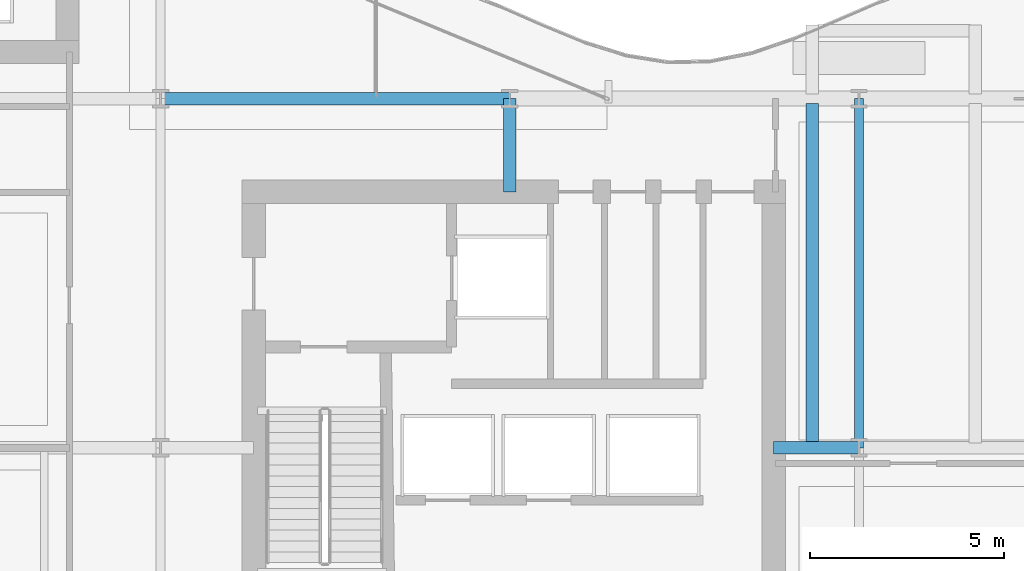
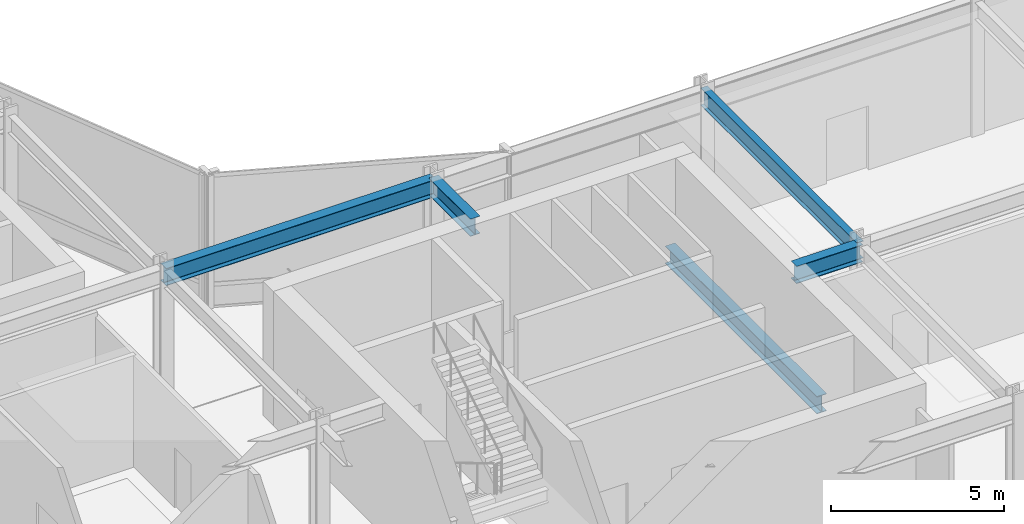
# One storey, part 15 of 39: 5 beams.
"""IFC4 building model written with IfcOpenShell, lengths in metres."""

from ifc_helpers import new_model, si_unit, direction, frame, origin, origin_2d, place, context, subcontext, project, spatial, i_section, extrude, material, material_profile, profile_set, type_object, element, save


model = new_model("IFC4")

# Units and contexts
model_context = context("Model", 3, precision=1e-05, world=origin(), true_north=direction((0.0, 1.0)))
body_context = subcontext(model_context, "Body", "Model", "MODEL_VIEW")
ifc_project = project(units=[si_unit("LENGTHUNIT", "METRE"), si_unit("AREAUNIT", "SQUARE_METRE"), si_unit("VOLUMEUNIT", "CUBIC_METRE"), si_unit("PLANEANGLEUNIT", "RADIAN"), si_unit("MASSUNIT", "GRAM", prefix="KILO")], contexts=[model_context])

# Site, building, storey
site_placement = place(None, origin())
site = spatial("IfcSite", under=ifc_project, at=site_placement, CompositionType="ELEMENT")
building_placement = place(site_placement, origin())
building = spatial("IfcBuilding", under=site, at=building_placement, Name="Solvaryn Broadcast Tower", CompositionType="ELEMENT")
storey_placement = place(building_placement, frame((0.0, 0.0, 84.10009765625)))
storey = spatial("IfcBuildingStorey", under=building, at=storey_placement, Name="L20", CompositionType="ELEMENT", Elevation=84.10009765625)

# Beams
ifc_material_1 = material(Name="Steel ASTM A992 Grade 50", Category="steel")
ifc_material_profile_1 = material_profile(ifc_material_1, i_section(OverallWidth=0.323974609375, OverallDepth=0.611083984375, WebThickness=0.0126953125, FlangeThickness=0.01904296875, FilletRadius=0.014892578125, at=origin_2d()))
ifc_profile_set_1 = profile_set([ifc_material_profile_1], Name="Steel ASTM A992 Grade 50")
beam_type_1 = type_object("IfcBeamType", Name="BM-B1-W24X104", PredefinedType="BEAM", material=ifc_profile_set_1)
beam_1_placement = place(storey_placement, frame((43.800048828125, 18.125, -0.635498046875), z_axis=(0.0, 1.0, 0.0), x_axis=(-1.0, 0.0, 0.0)))
element("IfcBeam", 1, at=beam_1_placement, inside=storey, type_object=beam_type_1, Name="L20 Courtyard Terrace Back-Span Beam X43.8", PredefinedType="BEAM", context=body_context, shape_type="SweptSolid", body=[
    extrude(i_section(OverallWidth=0.323974609375, OverallDepth=0.611083984375, WebThickness=0.0126953125, FlangeThickness=0.01904296875, FilletRadius=0.014892578125, at=origin_2d()), origin(), (0.0, 0.0, 1.0), 8.75),
])
beam_2_placement = place(storey_placement, frame((27.0, 27.0, 4.414306640625), z_axis=(1.0, 0.0, 0.0), x_axis=(0.0, 1.0, 0.0)))
element("IfcBeam", 2, at=beam_2_placement, inside=storey, type_object=beam_type_1, Name="L20 Primary Beam X (27-36 @ Y=27)", PredefinedType="BEAM", context=body_context, shape_type="SweptSolid", body=[
    extrude(i_section(OverallWidth=0.323974609375, OverallDepth=0.611083984375, WebThickness=0.0126953125, FlangeThickness=0.01904296875, FilletRadius=0.014892578125, at=origin_2d()), origin(), (0.0, 0.0, 1.0), 9.0),
])
beam_3_placement = place(storey_placement, frame((36.0, 24.60009765625, 4.414306640625), z_axis=(0.0, 1.0, 0.0), x_axis=(-1.0, 0.0, 0.0)))
element("IfcBeam", 3, at=beam_3_placement, inside=storey, type_object=beam_type_1, Name="L20 Core Tie Beam CTE2", PredefinedType="BEAM", context=body_context, shape_type="SweptSolid", body=[
    extrude(i_section(OverallWidth=0.323974609375, OverallDepth=0.611083984375, WebThickness=0.0126953125, FlangeThickness=0.01904296875, FilletRadius=0.014892578125, at=origin_2d()), origin(), (0.0, 0.0, 1.0), 2.39990234375),
])
beam_4_placement = place(storey_placement, frame((42.800048828125, 18.0, 4.414306640625), z_axis=(1.0, 0.0, 0.0), x_axis=(0.0, 1.0, 0.0)))
element("IfcBeam", 4, at=beam_4_placement, inside=storey, type_object=beam_type_1, Name="L20 Core Tie Beam CTE3", PredefinedType="BEAM", context=body_context, shape_type="SweptSolid", body=[
    extrude(i_section(OverallWidth=0.323974609375, OverallDepth=0.611083984375, WebThickness=0.0126953125, FlangeThickness=0.01904296875, FilletRadius=0.014892578125, at=origin_2d()), origin(), (0.0, 0.0, 1.0), 2.199951171875),
])
ifc_material_2 = material(Name="Steel ASTM A992 Grade 50", Category="steel")
ifc_material_profile_2 = material_profile(ifc_material_2, i_section(OverallWidth=0.22802734375, OverallDepth=0.60791015625, WebThickness=0.01123046875, FlangeThickness=0.017333984375, FilletRadius=0.014892578125, at=origin_2d()))
ifc_profile_set_2 = profile_set([ifc_material_profile_2], Name="Steel ASTM A992 Grade 50")
beam_type_2 = type_object("IfcBeamType", Name="BM-B2-W24X76", PredefinedType="BEAM", material=ifc_profile_set_2)
beam_5_placement = place(storey_placement, frame((45.0, 18.0, 4.416015625), z_axis=(0.0, 1.0, 0.0), x_axis=(-1.0, 0.0, 0.0)))
element("IfcBeam", 5, at=beam_5_placement, inside=storey, type_object=beam_type_2, Name="L20 Primary Beam Y (18-27 @ X=45)", PredefinedType="BEAM", context=body_context, shape_type="SweptSolid", body=[
    extrude(i_section(OverallWidth=0.22802734375, OverallDepth=0.60791015625, WebThickness=0.01123046875, FlangeThickness=0.017333984375, FilletRadius=0.014892578125, at=origin_2d()), origin(), (0.0, 0.0, 1.0), 9.0),
])

save(model, "model.ifc")
